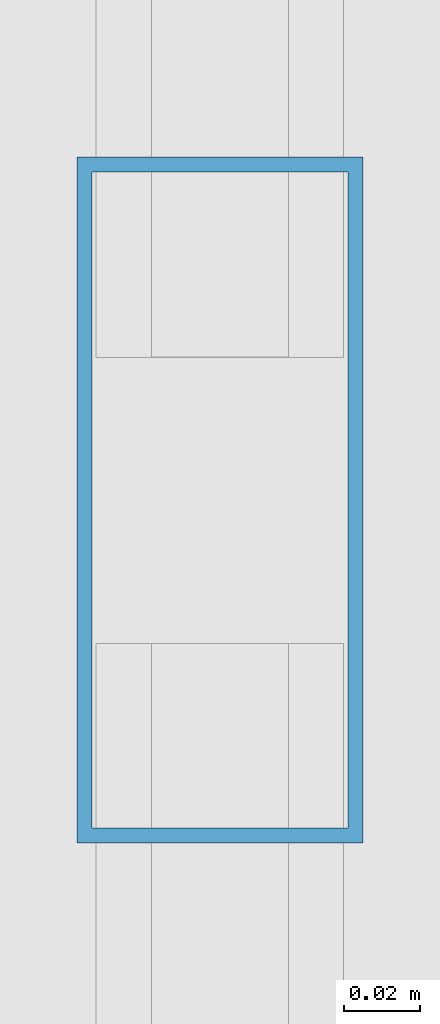
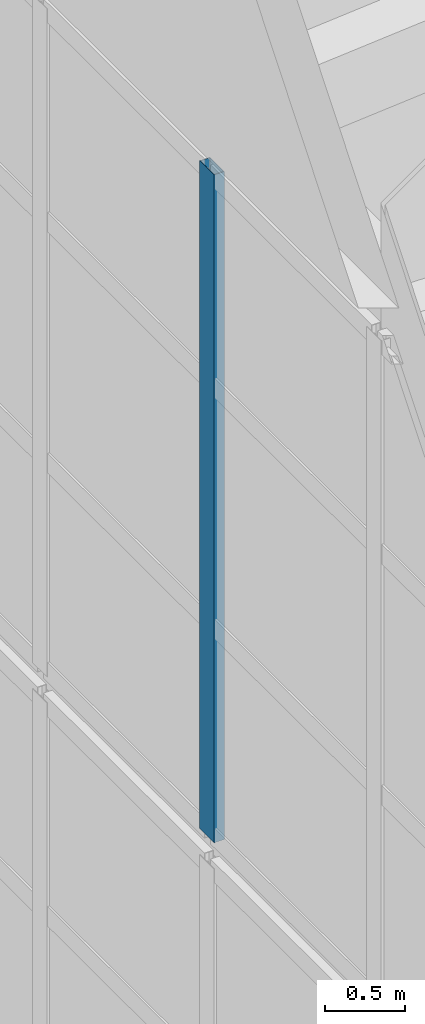
# One storey, part 15 of 47: 1 member, 1 element without a shape of its own.
"""IFC4 building model written with IfcOpenShell, lengths in metres."""

from ifc_helpers import new_model, si_unit, direction, frame, origin, origin_2d, place, context, subcontext, project, spatial, hollow_rectangle, extrude, material, layer, layer_set, material_profile, profile_set, type_object, element, aggregate, save


model = new_model("IFC4")

# Units and contexts
model_context = context("Model", 3, precision=1e-05, world=origin(), true_north=direction((0.0, 1.0)))
body_context = subcontext(model_context, "Body", "Model", "MODEL_VIEW")
ifc_project = project(units=[si_unit("LENGTHUNIT", "METRE"), si_unit("AREAUNIT", "SQUARE_METRE"), si_unit("VOLUMEUNIT", "CUBIC_METRE"), si_unit("PLANEANGLEUNIT", "RADIAN"), si_unit("MASSUNIT", "GRAM", prefix="KILO")], contexts=[model_context])

# Site, building, storey
site_placement = place(None, origin())
site = spatial("IfcSite", under=ifc_project, at=site_placement, CompositionType="ELEMENT")
building_placement = place(site_placement, origin())
building = spatial("IfcBuilding", under=site, at=building_placement, Name="Qiaolan Cultural Towers", CompositionType="ELEMENT")
storey_placement = place(building_placement, frame((0.0, 0.0, 280.199951171875)))
storey = spatial("IfcBuildingStorey", under=building, at=storey_placement, Name="RF", CompositionType="ELEMENT", Elevation=280.199951171875)

# Curtain wall, member
ifc_material_1 = material(Name="Unitized Anodized Aluminium Curtain Wall System", Category="aluminium")
ifc_layer = layer(ifc_material_1, 0.199951171875)
ifc_layer_set = layer_set([ifc_layer], Name="Unitized Anodized Aluminium Curtain Wall System")
curtain_wall_type = type_object("IfcCurtainWallType", Name="CWS-06", PredefinedType="NOTDEFINED", material=ifc_layer_set)
curtain_wall_placement = place(storey_placement, origin())
curtain_wall = element("IfcCurtainWall", 1, at=curtain_wall_placement, inside=storey, type_object=curtain_wall_type, Name="T1 Crown Tier 5 Fritted Screen Curtain Wall 7", PredefinedType="NOTDEFINED")
ifc_material_2 = material(Name="Extruded Aluminium 6063-T6", Category="aluminium")
ifc_material_profile = material_profile(ifc_material_2, hollow_rectangle(XDim=0.074951171875, YDim=0.179931640625, WallThickness=0.00390625, at=origin_2d()), Name="CWM-180x75x4")
ifc_profile_set = profile_set([ifc_material_profile], Name="Extruded Aluminium 6063-T6")
member_type = type_object("IfcMemberType", Name="CWS-06-MUL", PredefinedType="MULLION", material=ifc_profile_set)
member_placement = place(storey_placement, frame((14.949951171875, 36.090087890625, 21.300048828125), z_axis=(0.0, 0.0, 1.0), x_axis=(1.0, 0.0, 0.0)))
member = element("IfcMember", 2, at=member_placement, type_object=member_type, Name="CW-6 mullion 3", PredefinedType="MULLION", context=body_context, shape_type="SweptSolid", body=[
    extrude(hollow_rectangle(XDim=0.074951171875, YDim=0.179931640625, WallThickness=0.00390625, at=origin_2d()), origin(), (0.0, 0.0, 1.0), 5.10009765625),
])
aggregate(curtain_wall, [member])

save(model, "model.ifc")
